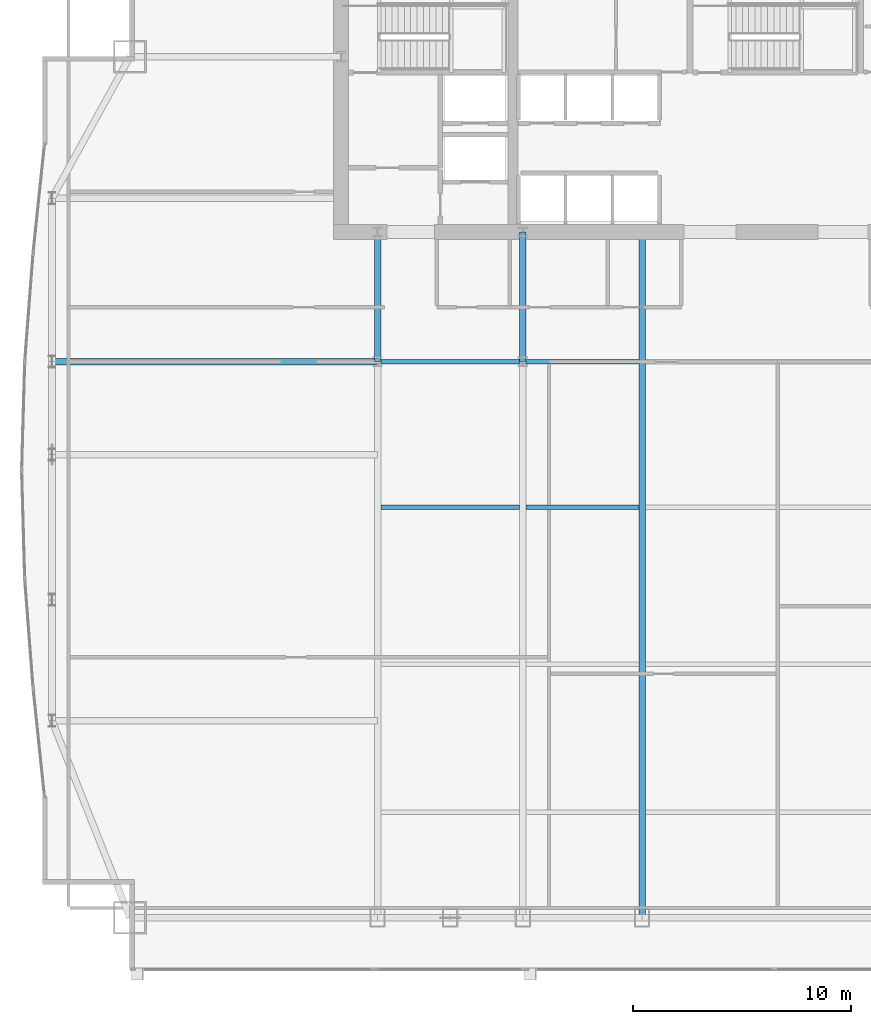
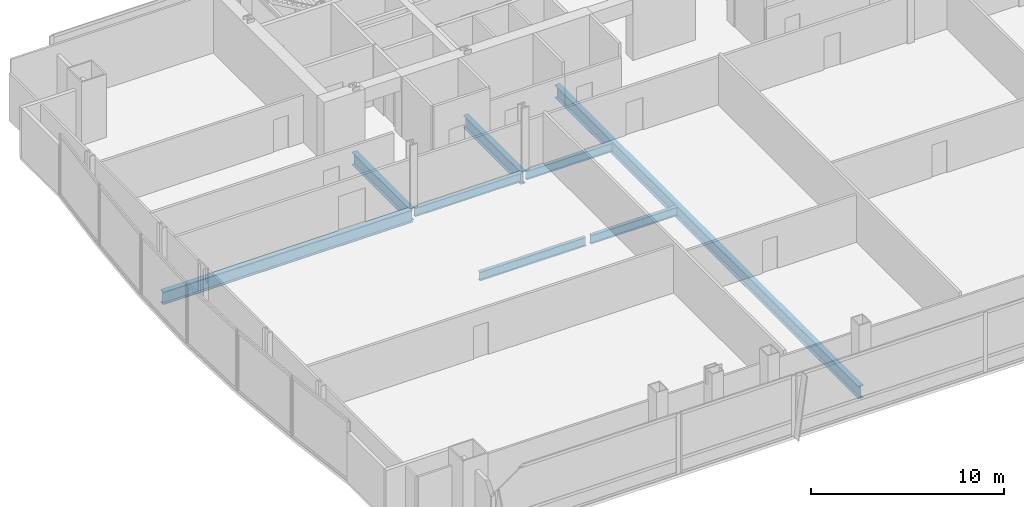
# One storey, part 12 of 30: 8 beams.
"""IFC4 building model written with IfcOpenShell, lengths in metres."""

from ifc_helpers import new_model, si_unit, direction, frame, origin, origin_2d, place, context, subcontext, project, spatial, i_section, extrude, material, material_profile, profile_set, type_object, element, save


model = new_model("IFC4")

# Units and contexts
model_context = context("Model", 3, precision=1e-05, world=origin(), true_north=direction((0.0, 1.0)))
body_context = subcontext(model_context, "Body", "Model", "MODEL_VIEW")
ifc_project = project(units=[si_unit("LENGTHUNIT", "METRE"), si_unit("AREAUNIT", "SQUARE_METRE"), si_unit("VOLUMEUNIT", "CUBIC_METRE"), si_unit("PLANEANGLEUNIT", "RADIAN"), si_unit("MASSUNIT", "GRAM", prefix="KILO")], contexts=[model_context])

# Site, building, storey
site_placement = place(None, origin())
site = spatial("IfcSite", under=ifc_project, at=site_placement, CompositionType="ELEMENT")
building_placement = place(site_placement, origin())
building = spatial("IfcBuilding", under=site, at=building_placement, Name="Khoronbel Lancet Exchange", CompositionType="ELEMENT")
storey_placement = place(building_placement, frame((0.0, 0.0, 90.60009765625)))
storey = spatial("IfcBuildingStorey", under=building, at=storey_placement, Name="L21", CompositionType="ELEMENT", Elevation=90.60009765625)

# Beams
ifc_material = material(Name="Steel S355", Category="steel")
ifc_material_profile_1 = material_profile(ifc_material, i_section(OverallWidth=0.300048828125, OverallDepth=0.800048828125, WebThickness=0.017578125, FlangeThickness=0.032958984375, at=origin_2d()), Name="HEB 800")
ifc_profile_set_1 = profile_set([ifc_material_profile_1], Name="Steel S355")
beam_type_1 = type_object("IfcBeamType", Name="BM-BG2", PredefinedType="BEAM", material=ifc_profile_set_1)
for number, where, z_axis, x_axis, name in (
    (1, (18.22509765625, 35.699951171875, -0.580078125), (0.0, 1.0, 0.0), (-1.0, 0.0, 0.0), "Level L21 spine tie girder GN1"),
    (2, (24.89990234375, 35.699951171875, -0.580078125), (0.0, 1.0, 0.0), (-1.0, 0.0, 0.0), "Level L21 spine tie girder GN2"),
):
    element("IfcBeam", number, at=place(storey_placement, frame(where, z_axis=z_axis, x_axis=x_axis)), inside=storey, type_object=beam_type_1, Name=name, PredefinedType="BEAM", context=body_context, shape_type="SweptSolid", body=[
        extrude(i_section(OverallWidth=0.300048828125, OverallDepth=0.800048828125, WebThickness=0.017578125, FlangeThickness=0.032958984375, at=origin_2d()), origin(), (0.0, 0.0, 1.0), 5.949951171875),
    ])
beam_1_placement = place(storey_placement, frame((30.375, 10.14990234375, -0.580078125), z_axis=(0.0, 1.0, 0.0), x_axis=(-1.0, 0.0, 0.0)))
element("IfcBeam", 3, at=beam_1_placement, inside=storey, type_object=beam_type_1, Name="Level L21 primary floor girder G3", PredefinedType="BEAM", context=body_context, shape_type="SweptSolid", body=[
    extrude(i_section(OverallWidth=0.300048828125, OverallDepth=0.800048828125, WebThickness=0.017578125, FlangeThickness=0.032958984375, at=origin_2d()), origin(), (0.0, 0.0, 1.0), 31.5),
])
beam_2_placement = place(storey_placement, frame((3.27001953125, 35.699951171875, -0.580078125), z_axis=(1.0, 0.0, 0.0), x_axis=(0.0, 1.0, 0.0)))
element("IfcBeam", 4, at=beam_2_placement, inside=storey, type_object=beam_type_1, Name="Level L21 west lens tie girder LG4W", PredefinedType="BEAM", context=body_context, shape_type="SweptSolid", body=[
    extrude(i_section(OverallWidth=0.300048828125, OverallDepth=0.800048828125, WebThickness=0.017578125, FlangeThickness=0.032958984375, at=origin_2d()), origin(), (0.0, 0.0, 1.0), 14.955078125),
])
ifc_material_profile_2 = material_profile(ifc_material, i_section(OverallWidth=0.2099609375, OverallDepth=0.550048828125, WebThickness=0.010986328125, FlangeThickness=0.01708984375, at=origin_2d()), Name="IPE 550")
ifc_profile_set_2 = profile_set([ifc_material_profile_2], Name="Steel S355")
beam_type_2 = type_object("IfcBeamType", Name="BM-BJ2", PredefinedType="JOIST", material=ifc_profile_set_2)
beam_3_placement = place(storey_placement, frame((18.375, 29.0, -0.455078125), z_axis=(1.0, 0.0, 0.0), x_axis=(0.0, 1.0, 0.0)))
element("IfcBeam", 5, at=beam_3_placement, inside=storey, type_object=beam_type_2, Name="Level L21 secondary composite joist J11", PredefinedType="JOIST", context=body_context, shape_type="SweptSolid", body=[
    extrude(i_section(OverallWidth=0.2099609375, OverallDepth=0.550048828125, WebThickness=0.010986328125, FlangeThickness=0.01708984375, at=origin_2d()), origin(), (0.0, 0.0, 1.0), 6.375),
])
beam_4_placement = place(storey_placement, frame((25.050048828125, 29.0, -0.455078125), z_axis=(1.0, 0.0, 0.0), x_axis=(0.0, 1.0, 0.0)))
element("IfcBeam", 6, at=beam_4_placement, inside=storey, type_object=beam_type_2, Name="Level L21 secondary composite joist J12", PredefinedType="JOIST", context=body_context, shape_type="SweptSolid", body=[
    extrude(i_section(OverallWidth=0.2099609375, OverallDepth=0.550048828125, WebThickness=0.010986328125, FlangeThickness=0.01708984375, at=origin_2d()), origin(), (0.0, 0.0, 1.0), 5.175048828125),
])
beam_5_placement = place(storey_placement, frame((18.375, 35.699951171875, -0.455078125), z_axis=(1.0, 0.0, 0.0), x_axis=(0.0, 1.0, 0.0)))
element("IfcBeam", 7, at=beam_5_placement, inside=storey, type_object=beam_type_2, Name="Level L21 secondary composite joist J16", PredefinedType="JOIST", context=body_context, shape_type="SweptSolid", body=[
    extrude(i_section(OverallWidth=0.2099609375, OverallDepth=0.550048828125, WebThickness=0.010986328125, FlangeThickness=0.01708984375, at=origin_2d()), origin(), (0.0, 0.0, 1.0), 6.375),
])
beam_6_placement = place(storey_placement, frame((25.050048828125, 35.699951171875, -0.455078125), z_axis=(1.0, 0.0, 0.0), x_axis=(0.0, 1.0, 0.0)))
element("IfcBeam", 8, at=beam_6_placement, inside=storey, type_object=beam_type_2, Name="Level L21 secondary composite joist J17", PredefinedType="JOIST", context=body_context, shape_type="SweptSolid", body=[
    extrude(i_section(OverallWidth=0.2099609375, OverallDepth=0.550048828125, WebThickness=0.010986328125, FlangeThickness=0.01708984375, at=origin_2d()), origin(), (0.0, 0.0, 1.0), 5.175048828125),
])

save(model, "model.ifc")
